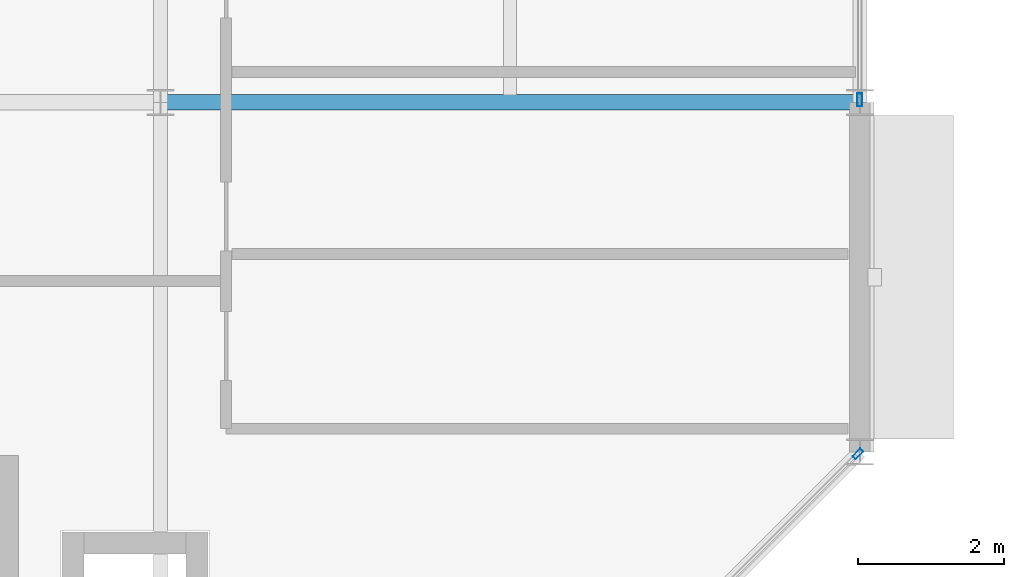
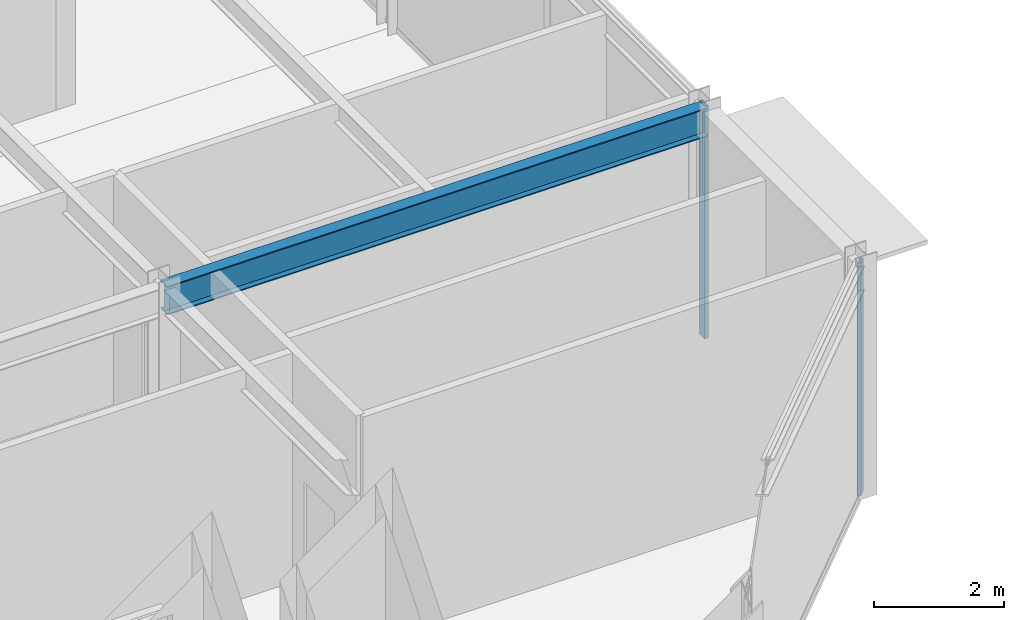
# One storey, part 34 of 116: 2 members, 1 beam, 2 elements without a shape of their own.
"""IFC4 building model written with IfcOpenShell, lengths in metres."""

from ifc_helpers import new_model, si_unit, direction, frame, origin, origin_2d, place, context, subcontext, project, spatial, hollow_rectangle, i_section, extrude, material, material_profile, profile_set, type_object, element, aggregate, save


model = new_model("IFC4")

# Units and contexts
model_context = context("Model", 3, precision=1e-05, world=origin(), true_north=direction((0.0, 1.0)))
body_context = subcontext(model_context, "Body", "Model", "MODEL_VIEW")
ifc_project = project(units=[si_unit("LENGTHUNIT", "METRE"), si_unit("AREAUNIT", "SQUARE_METRE"), si_unit("VOLUMEUNIT", "CUBIC_METRE"), si_unit("PLANEANGLEUNIT", "RADIAN"), si_unit("MASSUNIT", "GRAM", prefix="KILO")], contexts=[model_context])

# Site, building, storey
site_placement = place(None, origin())
site = spatial("IfcSite", under=ifc_project, at=site_placement, CompositionType="ELEMENT")
building_placement = place(site_placement, origin())
building = spatial("IfcBuilding", under=site, at=building_placement, Name="Almandine Court Research Institute", CompositionType="ELEMENT")
storey_placement = place(building_placement, frame((0.0, 0.0, 14.35009765625)))
storey = spatial("IfcBuildingStorey", under=building, at=storey_placement, Name="L03", CompositionType="ELEMENT", Elevation=14.35009765625)

# Beam
ifc_material_1 = material(Name="Steel ASTM A992 Grade 50", Category="steel")
ifc_material_profile_1 = material_profile(ifc_material_1, i_section(OverallWidth=0.2109375, OverallDepth=0.5390625, WebThickness=0.011962890625, FlangeThickness=0.01904296875, at=origin_2d()), Name="W530x109")
ifc_profile_set_1 = profile_set([ifc_material_profile_1], Name="Steel ASTM A992 Grade 50")
beam_type = type_object("IfcBeamType", Name="Beam-G-04", PredefinedType="BEAM", material=ifc_profile_set_1)
beam_placement = place(storey_placement, frame((25.199951171875, 93.60009765625, 4.099853515625), z_axis=(1.0, 0.0, 0.0), x_axis=(0.0, 1.0, 0.0)))
element("IfcBeam", 1, at=beam_placement, inside=storey, type_object=beam_type, Name="L03 V3 Primary X Girder", PredefinedType="BEAM", context=body_context, shape_type="SweptSolid", body=[
    extrude(i_section(OverallWidth=0.2109375, OverallDepth=0.5390625, WebThickness=0.011962890625, FlangeThickness=0.01904296875, at=origin_2d()), origin(), (0.0, 0.0, 1.0), 9.60009765625),
])

# Curtain wall, member
ifc_material_2 = material(Name="Unitised Curtain Wall Framing and Solar Glazing", Category="glass")
curtain_wall_type_1 = type_object("IfcCurtainWallType", Name="CW-CWG-05", PredefinedType="USERDEFINED", material=ifc_material_2)
curtain_wall_1_placement = place(storey_placement, origin())
curtain_wall_1 = element("IfcCurtainWall", 2, at=curtain_wall_1_placement, inside=storey, type_object=curtain_wall_type_1, Name="L03 Cleanroom SE Chamfer Glazing", ObjectType="UNITISED GLAZING", PredefinedType="USERDEFINED")
ifc_material_3 = material(Name="Anodised Aluminium AW-6063-T6", Category="aluminium")
ifc_material_profile_2 = material_profile(ifc_material_3, hollow_rectangle(XDim=0.06005859375, YDim=0.14990234375, WallThickness=0.00390625, at=origin_2d()), Name="ALU RHS 60x150x4")
ifc_profile_set_2 = profile_set([ifc_material_profile_2], Name="Anodised Aluminium AW-6063-T6")
member_type_1 = type_object("IfcMemberType", Name="CWMul-60x150", PredefinedType="MULLION", material=ifc_profile_set_2)
member_1_placement = place(storey_placement, frame((34.77490234375, 88.77490234375, 0.0), z_axis=(0.0, 0.0, 1.0), x_axis=(0.707106781187, -0.707106781187, 0.0)))
member_1 = element("IfcMember", 3, at=member_1_placement, type_object=member_type_1, Name="CWG-05 mullion 1", PredefinedType="MULLION", context=body_context, shape_type="SweptSolid", body=[
    extrude(hollow_rectangle(XDim=0.06005859375, YDim=0.14990234375, WallThickness=0.00390625, at=origin_2d()), origin(), (0.0, 0.0, 1.0), 4.369873046875),
])
aggregate(curtain_wall_1, [member_1])

curtain_wall_type_2 = type_object("IfcCurtainWallType", Name="CW-CWJ-02", PredefinedType="USERDEFINED", material=ifc_material_2)
curtain_wall_2_placement = place(storey_placement, origin())
curtain_wall_2 = element("IfcCurtainWall", 4, at=curtain_wall_2_placement, inside=storey, type_object=curtain_wall_type_2, Name="L03 Cleanroom East Courtyard Jali Screen 2", ObjectType="SOLAR JALI SCREEN", PredefinedType="USERDEFINED")
ifc_material_profile_3 = material_profile(ifc_material_3, hollow_rectangle(XDim=0.06494140625, YDim=0.179931640625, WallThickness=0.00390625, at=origin_2d()), Name="ALU RHS 65x180x4")
ifc_profile_set_3 = profile_set([ifc_material_profile_3], Name="Anodised Aluminium AW-6063-T6")
member_type_2 = type_object("IfcMemberType", Name="CWMul-65x180", PredefinedType="MULLION", material=ifc_profile_set_3)
member_2_placement = place(storey_placement, frame((34.800048828125, 93.636474609375, 0.0), z_axis=(0.0, 0.0, 1.0), x_axis=(1.0, 0.0, 0.0)))
member_2 = element("IfcMember", 5, at=member_2_placement, type_object=member_type_2, Name="CWJ-02 mullion 3", PredefinedType="MULLION", context=body_context, shape_type="SweptSolid", body=[
    extrude(hollow_rectangle(XDim=0.06494140625, YDim=0.179931640625, WallThickness=0.00390625, at=origin_2d()), origin(), (0.0, 0.0, 1.0), 4.369873046875),
])
aggregate(curtain_wall_2, [member_2])

save(model, "model.ifc")
